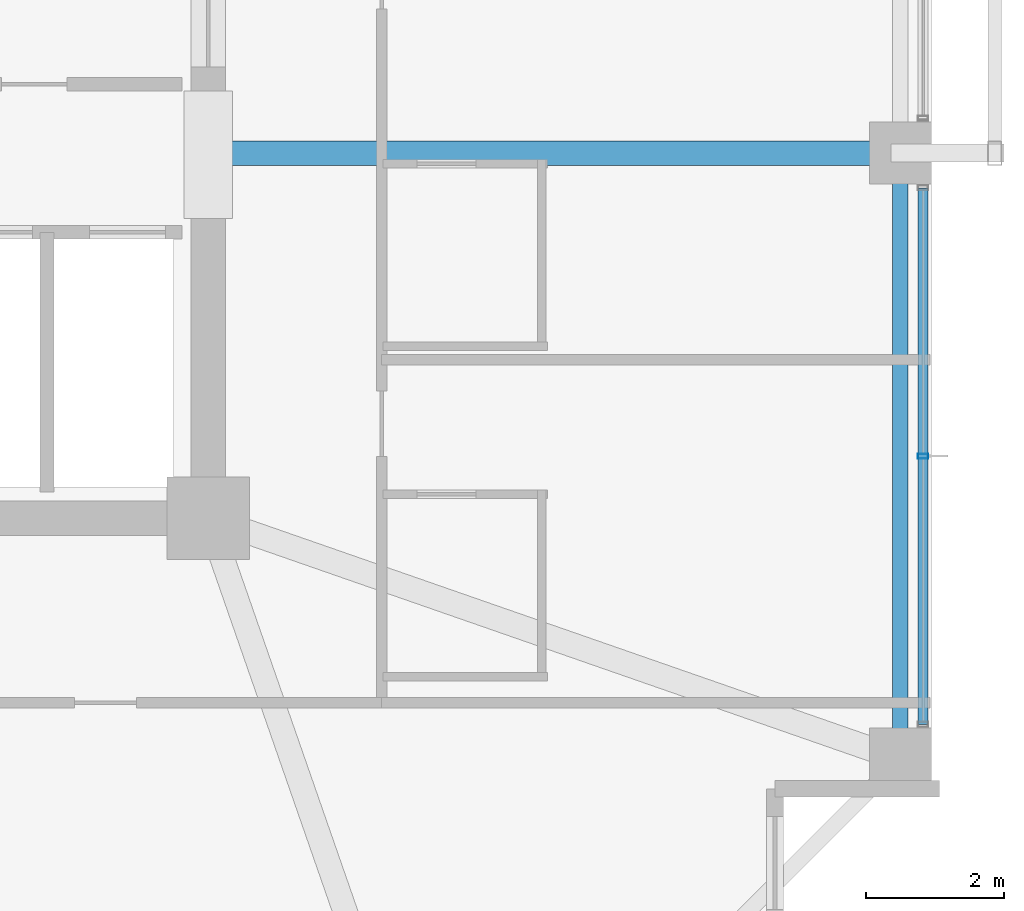
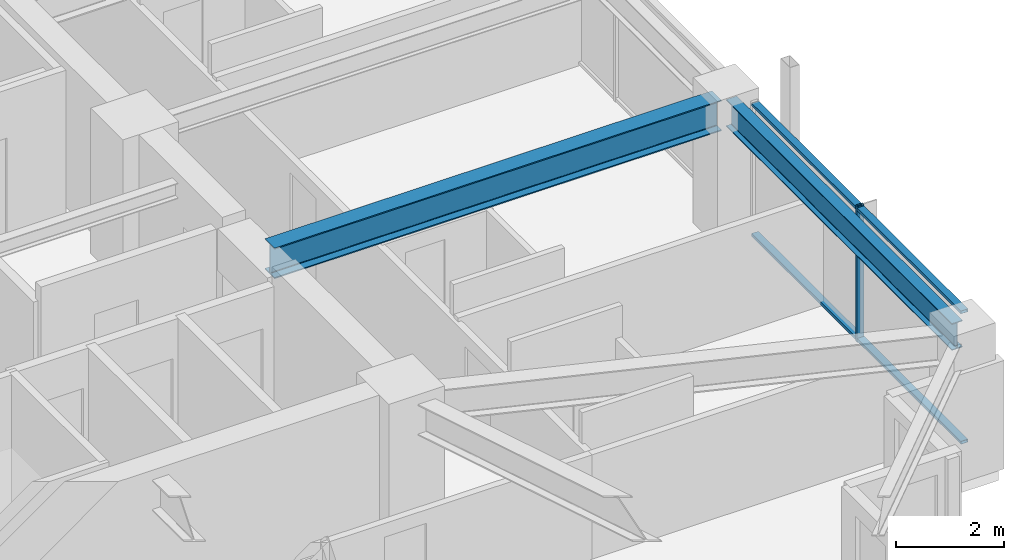
# One storey, part 13 of 37: 3 members, 2 beams, 1 element without a shape of its own.
"""IFC4 building model written with IfcOpenShell, lengths in metres."""

import ifcopenshell
import ifcopenshell.guid

model = None  # the IFC model being written
_history = None  # IfcOwnerHistory: only IFC2X3 demands one
_inside = {}  # id of a spatial element -> (the spatial element, [elements in it])
_under = {}  # id of a project, library or spatial element -> (it, [spatial elements below it])
_declared = {}  # id of a project -> (the project, [libraries it declares])
_typed = {}  # id of a type object -> (the type object, [elements of that type])
_made_of = {}  # id of a material, layer set ... -> (it, [elements and type objects made of it])


def new_model(schema):
    """Start an empty IFC model of exactly this schema.

    Asked for "IFC4X3", IfcOpenShell would pick the latest addendum, in which some entities
    have other attributes; the version numbers below select the first issue.
    IFC2X3 requires an IfcOwnerHistory on every rooted entity: one is made here for all.
    """
    global model, _history
    if schema == "IFC4X3":
        model = ifcopenshell.file(schema_version=(4, 3, 0, 0))
    else:
        model = ifcopenshell.file(schema=schema)
    _inside.clear()
    _under.clear()
    _declared.clear()
    _typed.clear()
    _made_of.clear()
    _history = None
    if model.schema == "IFC2X3":
        org = make("IfcOrganization", Name="unknown")
        user = make(
            "IfcPersonAndOrganization",
            ThePerson=make("IfcPerson", FamilyName="unknown"),
            TheOrganization=org,
        )
        app = make(
            "IfcApplication",
            ApplicationDeveloper=org,
            Version="unknown",
            ApplicationFullName="unknown",
            ApplicationIdentifier="unknown",
        )
        _history = make(
            "IfcOwnerHistory",
            OwningUser=user,
            OwningApplication=app,
            ChangeAction="ADDED",
            CreationDate=0,
        )
    return model


def make(cls, **values):
    """One entity of the class cls with the attributes given. An attribute that is None is left unset."""
    return model.create_entity(
        cls, **{name: value for name, value in values.items() if value is not None}
    )


def rooted(cls, **values):
    """An entity with a GlobalId (a new one), such as an element, a storey or a relation."""
    return make(cls, GlobalId=ifcopenshell.guid.new(), OwnerHistory=_history, **values)


def si_unit(unit_type, name, prefix=None):
    """IfcSIUnit, for example si_unit("LENGTHUNIT", "METRE", prefix="MILLI")."""
    return make("IfcSIUnit", UnitType=unit_type, Prefix=prefix, Name=name)


def assignment(units):
    """IfcUnitAssignment: the units of a project."""
    return None if units is None else make("IfcUnitAssignment", Units=units)


def point(xyz):
    """IfcCartesianPoint."""
    return None if xyz is None else make("IfcCartesianPoint", Coordinates=xyz)


def direction(xyz):
    """IfcDirection."""
    return None if xyz is None else make("IfcDirection", DirectionRatios=xyz)


def frame(location, z_axis=None, x_axis=None):
    """IfcAxis2Placement3D, a coordinate frame: its origin and axes. An axis left out is left unset."""
    return make(
        "IfcAxis2Placement3D",
        Location=point(location),
        Axis=direction(z_axis),
        RefDirection=direction(x_axis),
    )


def frame_2d(location, x_axis=None):
    """IfcAxis2Placement2D, a coordinate frame in the plane: its origin and x axis."""
    return make(
        "IfcAxis2Placement2D", Location=point(location), RefDirection=direction(x_axis)
    )


def origin():
    """The frame at (0, 0, 0) with its axes left unset."""
    return frame((0.0, 0.0, 0.0))


def origin_2d():
    """The frame at (0, 0) in the plane with its x axis left unset."""
    return frame_2d((0.0, 0.0))


def place(relative_to, where):
    """IfcLocalPlacement: puts the frame where relative to a parent placement (None: the world)."""
    return make(
        "IfcLocalPlacement", PlacementRelTo=relative_to, RelativePlacement=where
    )


def context(
    kind, dimensions, precision=None, world=None, true_north=None, identifier=None
):
    """IfcGeometricRepresentationContext, for example the 3D "Model" context."""
    return make(
        "IfcGeometricRepresentationContext",
        ContextIdentifier=identifier,
        ContextType=kind,
        CoordinateSpaceDimension=dimensions,
        Precision=precision,
        WorldCoordinateSystem=world,
        TrueNorth=true_north,
    )


def subcontext(parent, identifier, kind, view, scale=None):
    """IfcGeometricRepresentationSubContext, for example "Body" below "Model"."""
    return make(
        "IfcGeometricRepresentationSubContext",
        ContextIdentifier=identifier,
        ContextType=kind,
        ParentContext=parent,
        TargetScale=scale,
        TargetView=view,
    )


def project(units=None, contexts=None):
    """IfcProject with its units and contexts."""
    return rooted(
        "IfcProject",
        Name="project",
        RepresentationContexts=contexts,
        UnitsInContext=assignment(units),
    )


def spatial(cls, under=None, at=None, **own):
    """A site, building, storey or space (cls), placed at a placement, below another one or the project."""
    s = rooted(cls, ObjectPlacement=at, **own)
    if under is not None:
        _under.setdefault(under.id(), (under, []))[1].append(s)
    return s


def profile(cls, at=None, kind="AREA", **sizes):
    """A parametric profile (cls). Its sizes go by their IFC names, for example OverallWidth=200.0."""
    return make(cls, ProfileType=kind, Position=at, **sizes)


def hollow_rectangle(**sizes):
    """IfcRectangleHollowProfileDef."""
    return profile("IfcRectangleHollowProfileDef", **sizes)


def i_section(**sizes):
    """IfcIShapeProfileDef."""
    return profile("IfcIShapeProfileDef", **sizes)


def extrude(swept, where, along, depth):
    """IfcExtrudedAreaSolid: the profile swept, set in the frame where, extruded along a direction by depth."""
    return make(
        "IfcExtrudedAreaSolid",
        SweptArea=swept,
        Position=where,
        ExtrudedDirection=direction(along),
        Depth=depth,
    )


def shape(context_of_items, identifier, shape_type, items):
    """IfcShapeRepresentation: the items that make up one representation, for example the "Body"."""
    return make(
        "IfcShapeRepresentation",
        ContextOfItems=context_of_items,
        RepresentationIdentifier=identifier,
        RepresentationType=shape_type,
        Items=items,
    )


def material(Name=None, Category=None):
    """IfcMaterial."""
    return make("IfcMaterial", Name=Name, Category=Category)


def material_profile(
    of_material, cross_section, Name=None, Category=None, Priority=None
):
    """IfcMaterialProfile: a cross section and its material."""
    return make(
        "IfcMaterialProfile",
        Name=Name,
        Material=of_material,
        Profile=cross_section,
        Priority=Priority,
        Category=Category,
    )


def profile_set(profiles, Name=None, composite=None):
    """IfcMaterialProfileSet."""
    return make(
        "IfcMaterialProfileSet",
        Name=Name,
        MaterialProfiles=profiles,
        CompositeProfile=composite,
    )


def made_of(thing, what):
    """Note that an element or type object is made of a material, layer set ...; save() writes the relation."""
    if what is not None:
        _made_of.setdefault(what.id(), (what, []))[1].append(thing)
    return thing


def type_object(cls, material=None, **own):
    """A type object (cls), such as IfcWallType, which elements share."""
    return made_of(rooted(cls, **own), material)


def element(
    cls,
    number,
    at=None,
    inside=None,
    cuts=None,
    type_object=None,
    material=None,
    context=None,
    identifier="Body",
    shape_type=None,
    held_by="IfcProductDefinitionShape",
    body=None,
    shapes=None,
    **own,
):
    """One element of the class cls, such as IfcWall. Its Tag is "e" and its number.

    at: its placement. inside: the storey or other place that contains it. cuts: it is an
    opening in that element (IfcRelVoidsElement). A single representation is given by context,
    identifier, shape_type and body (its items); several are given by shapes. held_by: the class
    of the entity that holds the representations. save() writes the other relations.
    """
    e = rooted(cls, Tag="e%d" % number, ObjectPlacement=at, **own)
    if body is not None:
        shapes = [shape(context, identifier, shape_type, body)]
    if shapes is not None:
        e.Representation = make(held_by, Representations=shapes)
    if inside is not None:
        _inside.setdefault(inside.id(), (inside, []))[1].append(e)
    if cuts is not None:
        rooted(
            "IfcRelVoidsElement", RelatingBuildingElement=cuts, RelatedOpeningElement=e
        )
    if type_object is not None:
        _typed.setdefault(type_object.id(), (type_object, []))[1].append(e)
    return made_of(e, material)


def aggregate(whole, parts):
    """IfcRelAggregates: a whole, such as a stair, and the parts it consists of."""
    return rooted("IfcRelAggregates", RelatingObject=whole, RelatedObjects=parts)


def save(model, path):
    """Write the relations noted so far, then the file.

    IfcRelAggregates (storeys below a building ...), IfcRelContainedInSpatialStructure (elements
    in a storey), IfcRelDefinesByType, IfcRelAssociatesMaterial and IfcRelDeclares: one each for
    every whole, place, type object, material and project.
    """
    for whole, parts in _under.values():
        aggregate(whole, parts)
    for where, things in _inside.values():
        rooted(
            "IfcRelContainedInSpatialStructure",
            RelatedElements=things,
            RelatingStructure=where,
        )
    for kind, things in _typed.values():
        rooted("IfcRelDefinesByType", RelatedObjects=things, RelatingType=kind)
    for what, things in _made_of.values():
        rooted("IfcRelAssociatesMaterial", RelatedObjects=things, RelatingMaterial=what)
    for by, libraries in _declared.values():
        rooted("IfcRelDeclares", RelatingContext=by, RelatedDefinitions=libraries)
    model.write(path)


model = new_model("IFC4")

# Units and contexts
model_context = context("Model", 3, precision=1e-05, world=origin(), true_north=direction((0.0, 1.0)))
body_context = subcontext(model_context, "Body", "Model", "MODEL_VIEW")
ifc_project = project(units=[si_unit("LENGTHUNIT", "METRE"), si_unit("AREAUNIT", "SQUARE_METRE"), si_unit("VOLUMEUNIT", "CUBIC_METRE"), si_unit("PLANEANGLEUNIT", "RADIAN"), si_unit("MASSUNIT", "GRAM", prefix="KILO")], contexts=[model_context])

# Site, building, storey
site_placement = place(None, origin())
site = spatial("IfcSite", under=ifc_project, at=site_placement, CompositionType="ELEMENT")
building_placement = place(site_placement, origin())
building = spatial("IfcBuilding", under=site, at=building_placement, Name="Kolvaren Belvedere", CompositionType="ELEMENT")
storey_placement = place(building_placement, frame((0.0, 0.0, 173.39990234375)))
storey = spatial("IfcBuildingStorey", under=building, at=storey_placement, Name="L50", CompositionType="ELEMENT", Elevation=173.39990234375)

# Beams
ifc_material_1 = material(Name="Structural steel ASTM A992 Grade 50", Category="steel")
ifc_material_profile_1 = material_profile(ifc_material_1, i_section(OverallWidth=0.35498046875, OverallDepth=0.696044921875, WebThickness=0.015380859375, FlangeThickness=0.02490234375, FilletRadius=0.02197265625, at=origin_2d()), Name="W27X146")
ifc_profile_set_1 = profile_set([ifc_material_profile_1], Name="Structural steel ASTM A992 Grade 50")
beam_type_1 = type_object("IfcBeamType", Name="BM-GIRD-W27X146", PredefinedType="BEAM", material=ifc_profile_set_1)
beam_1_placement = place(storey_placement, frame((10.14990234375, -4.60009765625, 2.732177734375), z_axis=(1.0, 0.0, 0.0), x_axis=(0.0, 1.0, 0.0)))
element("IfcBeam", 1, at=beam_1_placement, inside=storey, type_object=beam_type_1, Name="L50 East Radial Girder M", PredefinedType="BEAM", context=body_context, shape_type="SweptSolid", body=[
    extrude(i_section(OverallWidth=0.35498046875, OverallDepth=0.696044921875, WebThickness=0.015380859375, FlangeThickness=0.02490234375, FilletRadius=0.02197265625, at=origin_2d()), origin(), (0.0, 0.0, 1.0), 9.59765625),
])
ifc_material_2 = material(Name="Structural steel ASTM A992 Grade 50", Category="steel")
ifc_material_profile_2 = material_profile(ifc_material_2, i_section(OverallWidth=0.22900390625, OverallDepth=0.612060546875, WebThickness=0.011962890625, FlangeThickness=0.01953125, FilletRadius=0.01806640625, at=origin_2d()), Name="W24X84")
ifc_profile_set_2 = profile_set([ifc_material_profile_2], Name="Structural steel ASTM A992 Grade 50")
beam_type_2 = type_object("IfcBeamType", Name="BM-SPAN-W24X84", PredefinedType="SPANDREL", material=ifc_profile_set_2)
beam_2_placement = place(storey_placement, frame((19.949951171875, -13.197509765625, 2.774169921875), z_axis=(0.0, 1.0, 0.0), x_axis=(-1.0, 0.0, 0.0)))
element("IfcBeam", 2, at=beam_2_placement, inside=storey, type_object=beam_type_2, Name="L50 Perimeter Spandrel E1-E2", PredefinedType="SPANDREL", context=body_context, shape_type="SweptSolid", body=[
    extrude(i_section(OverallWidth=0.22900390625, OverallDepth=0.612060546875, WebThickness=0.011962890625, FlangeThickness=0.01953125, FilletRadius=0.01806640625, at=origin_2d()), origin(), (0.0, 0.0, 1.0), 8.39501953125),
])

# Curtain wall, members
ifc_material_3 = material(Name="Anodised pale-metal aluminium AA 6063-T6", Category="aluminium")
curtain_wall_type = type_object("IfcCurtainWallType", Name="CW-Z5-HIGH", PredefinedType="NOTDEFINED", material=ifc_material_3)
curtain_wall_placement = place(storey_placement, origin())
curtain_wall = element("IfcCurtainWall", 3, at=curtain_wall_placement, inside=storey, type_object=curtain_wall_type, Name="L50 Unitised Curtain Wall FCW-L50-E-B3", PredefinedType="NOTDEFINED")
ifc_material_4 = material(Name="Anodised pale-metal aluminium AA 6063-T6", Category="aluminium")
ifc_material_profile_3 = material_profile(ifc_material_4, hollow_rectangle(XDim=0.070068359375, YDim=0.14990234375, WallThickness=0.004150390625, at=origin_2d()), Name="ALU-MUL-150X70")
ifc_profile_set_3 = profile_set([ifc_material_profile_3], Name="Anodised pale-metal aluminium AA 6063-T6")
member_type_1 = type_object("IfcMemberType", Name="CW-MUL-150", PredefinedType="MULLION", material=ifc_profile_set_3)
member_1_placement = place(storey_placement, frame((20.280029296875, -9.0, 0.0), z_axis=(0.0, 0.0, 1.0), x_axis=(0.0, 1.0, 0.0)))
member_1 = element("IfcMember", 4, at=member_1_placement, type_object=member_type_1, Name="FCW-L50-E-B3 Unitised Mullion 2", PredefinedType="MULLION", context=body_context, shape_type="SweptSolid", body=[
    extrude(hollow_rectangle(XDim=0.070068359375, YDim=0.14990234375, WallThickness=0.004150390625, at=origin_2d()), origin(), (0.0, 0.0, 1.0), 3.080078125),
])
ifc_material_5 = material(Name="Anodised pale-metal aluminium AA 6063-T6", Category="aluminium")
ifc_material_profile_4 = material_profile(ifc_material_5, hollow_rectangle(XDim=0.06494140625, YDim=0.14990234375, WallThickness=0.00390625, at=origin_2d()), Name="ALU-TRN-150X65")
ifc_profile_set_4 = profile_set([ifc_material_profile_4], Name="Anodised pale-metal aluminium AA 6063-T6")
member_type_2 = type_object("IfcMemberType", Name="CW-TRN-150", PredefinedType="USERDEFINED", material=ifc_profile_set_4)
member_2_placement = place(storey_placement, frame((20.280029296875, -5.10498046875, 0.06005859375), z_axis=(0.0, -1.0, 0.0), x_axis=(0.0, 0.0, 1.0)))
member_2 = element("IfcMember", 5, at=member_2_placement, type_object=member_type_2, Name="FCW-L50-E-B3 Sill Transom", ObjectType="TRANSOM", PredefinedType="USERDEFINED", context=body_context, shape_type="SweptSolid", body=[
    extrude(hollow_rectangle(XDim=0.06494140625, YDim=0.14990234375, WallThickness=0.00390625, at=origin_2d()), origin(), (0.0, 0.0, 1.0), 7.7900390625),
])
member_3_placement = place(storey_placement, frame((20.280029296875, -5.10498046875, 3.02001953125), z_axis=(0.0, -1.0, 0.0), x_axis=(0.0, 0.0, 1.0)))
member_3 = element("IfcMember", 6, at=member_3_placement, type_object=member_type_2, Name="FCW-L50-E-B3 Head Transom", ObjectType="TRANSOM", PredefinedType="USERDEFINED", context=body_context, shape_type="SweptSolid", body=[
    extrude(hollow_rectangle(XDim=0.06494140625, YDim=0.14990234375, WallThickness=0.00390625, at=origin_2d()), origin(), (0.0, 0.0, 1.0), 7.7900390625),
])
aggregate(curtain_wall, [member_1, member_2, member_3])

save(model, "model.ifc")
